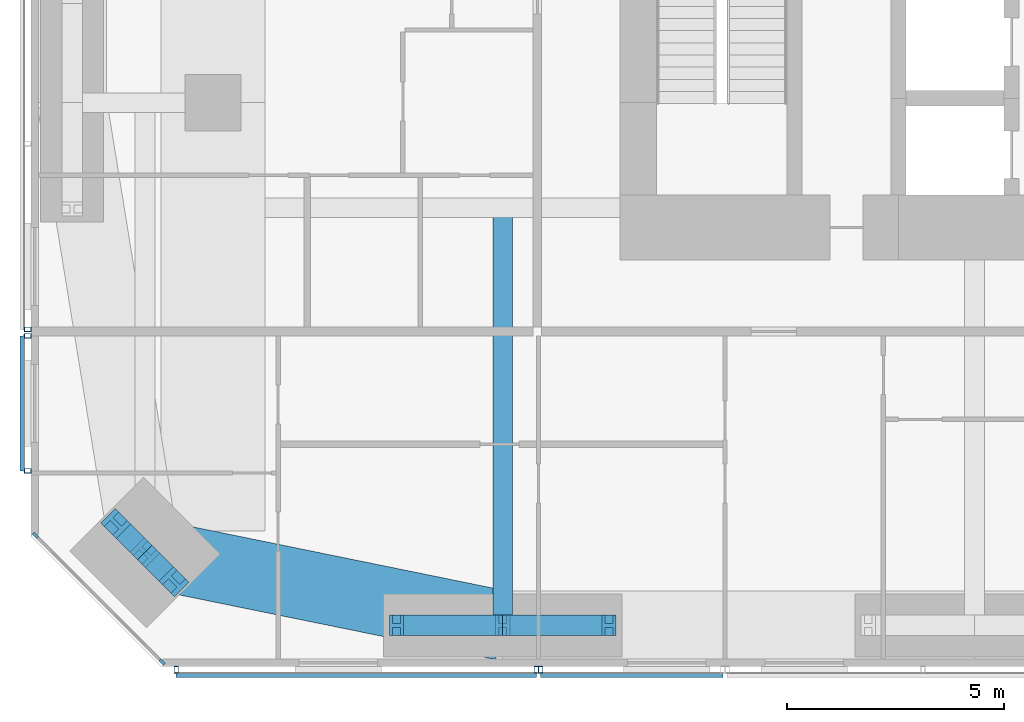
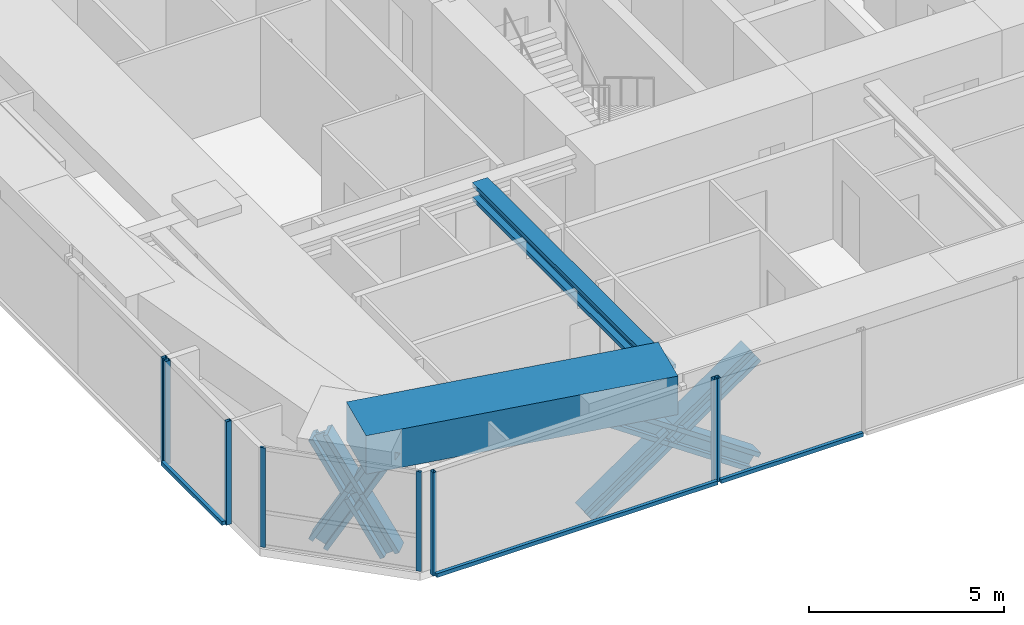
# One storey, part 2 of 24: 19 members, 2 beams, 5 elements without a shape of their own.
"""IFC4 building model written with IfcOpenShell, lengths in metres."""

import ifcopenshell
import ifcopenshell.guid

model = None  # the IFC model being written
_history = None  # IfcOwnerHistory: only IFC2X3 demands one
_inside = {}  # id of a spatial element -> (the spatial element, [elements in it])
_under = {}  # id of a project, library or spatial element -> (it, [spatial elements below it])
_declared = {}  # id of a project -> (the project, [libraries it declares])
_typed = {}  # id of a type object -> (the type object, [elements of that type])
_made_of = {}  # id of a material, layer set ... -> (it, [elements and type objects made of it])


def new_model(schema):
    """Start an empty IFC model of exactly this schema.

    Asked for "IFC4X3", IfcOpenShell would pick the latest addendum, in which some entities
    have other attributes; the version numbers below select the first issue.
    IFC2X3 requires an IfcOwnerHistory on every rooted entity: one is made here for all.
    """
    global model, _history
    if schema == "IFC4X3":
        model = ifcopenshell.file(schema_version=(4, 3, 0, 0))
    else:
        model = ifcopenshell.file(schema=schema)
    _inside.clear()
    _under.clear()
    _declared.clear()
    _typed.clear()
    _made_of.clear()
    _history = None
    if model.schema == "IFC2X3":
        org = make("IfcOrganization", Name="unknown")
        user = make(
            "IfcPersonAndOrganization",
            ThePerson=make("IfcPerson", FamilyName="unknown"),
            TheOrganization=org,
        )
        app = make(
            "IfcApplication",
            ApplicationDeveloper=org,
            Version="unknown",
            ApplicationFullName="unknown",
            ApplicationIdentifier="unknown",
        )
        _history = make(
            "IfcOwnerHistory",
            OwningUser=user,
            OwningApplication=app,
            ChangeAction="ADDED",
            CreationDate=0,
        )
    return model


def make(cls, **values):
    """One entity of the class cls with the attributes given. An attribute that is None is left unset."""
    return model.create_entity(
        cls, **{name: value for name, value in values.items() if value is not None}
    )


def rooted(cls, **values):
    """An entity with a GlobalId (a new one), such as an element, a storey or a relation."""
    return make(cls, GlobalId=ifcopenshell.guid.new(), OwnerHistory=_history, **values)


def si_unit(unit_type, name, prefix=None):
    """IfcSIUnit, for example si_unit("LENGTHUNIT", "METRE", prefix="MILLI")."""
    return make("IfcSIUnit", UnitType=unit_type, Prefix=prefix, Name=name)


def assignment(units):
    """IfcUnitAssignment: the units of a project."""
    return None if units is None else make("IfcUnitAssignment", Units=units)


def point(xyz):
    """IfcCartesianPoint."""
    return None if xyz is None else make("IfcCartesianPoint", Coordinates=xyz)


def direction(xyz):
    """IfcDirection."""
    return None if xyz is None else make("IfcDirection", DirectionRatios=xyz)


def frame(location, z_axis=None, x_axis=None):
    """IfcAxis2Placement3D, a coordinate frame: its origin and axes. An axis left out is left unset."""
    return make(
        "IfcAxis2Placement3D",
        Location=point(location),
        Axis=direction(z_axis),
        RefDirection=direction(x_axis),
    )


def frame_2d(location, x_axis=None):
    """IfcAxis2Placement2D, a coordinate frame in the plane: its origin and x axis."""
    return make(
        "IfcAxis2Placement2D", Location=point(location), RefDirection=direction(x_axis)
    )


def origin():
    """The frame at (0, 0, 0) with its axes left unset."""
    return frame((0.0, 0.0, 0.0))


def origin_2d():
    """The frame at (0, 0) in the plane with its x axis left unset."""
    return frame_2d((0.0, 0.0))


def place(relative_to, where):
    """IfcLocalPlacement: puts the frame where relative to a parent placement (None: the world)."""
    return make(
        "IfcLocalPlacement", PlacementRelTo=relative_to, RelativePlacement=where
    )


def context(
    kind, dimensions, precision=None, world=None, true_north=None, identifier=None
):
    """IfcGeometricRepresentationContext, for example the 3D "Model" context."""
    return make(
        "IfcGeometricRepresentationContext",
        ContextIdentifier=identifier,
        ContextType=kind,
        CoordinateSpaceDimension=dimensions,
        Precision=precision,
        WorldCoordinateSystem=world,
        TrueNorth=true_north,
    )


def subcontext(parent, identifier, kind, view, scale=None):
    """IfcGeometricRepresentationSubContext, for example "Body" below "Model"."""
    return make(
        "IfcGeometricRepresentationSubContext",
        ContextIdentifier=identifier,
        ContextType=kind,
        ParentContext=parent,
        TargetScale=scale,
        TargetView=view,
    )


def project(units=None, contexts=None):
    """IfcProject with its units and contexts."""
    return rooted(
        "IfcProject",
        Name="project",
        RepresentationContexts=contexts,
        UnitsInContext=assignment(units),
    )


def spatial(cls, under=None, at=None, **own):
    """A site, building, storey or space (cls), placed at a placement, below another one or the project."""
    s = rooted(cls, ObjectPlacement=at, **own)
    if under is not None:
        _under.setdefault(under.id(), (under, []))[1].append(s)
    return s


def profile(cls, at=None, kind="AREA", **sizes):
    """A parametric profile (cls). Its sizes go by their IFC names, for example OverallWidth=200.0."""
    return make(cls, ProfileType=kind, Position=at, **sizes)


def rectangle(**sizes):
    """IfcRectangleProfileDef."""
    return profile("IfcRectangleProfileDef", **sizes)


def hollow_rectangle(**sizes):
    """IfcRectangleHollowProfileDef."""
    return profile("IfcRectangleHollowProfileDef", **sizes)


def i_section(**sizes):
    """IfcIShapeProfileDef."""
    return profile("IfcIShapeProfileDef", **sizes)


def extrude(swept, where, along, depth):
    """IfcExtrudedAreaSolid: the profile swept, set in the frame where, extruded along a direction by depth."""
    return make(
        "IfcExtrudedAreaSolid",
        SweptArea=swept,
        Position=where,
        ExtrudedDirection=direction(along),
        Depth=depth,
    )


def shape(context_of_items, identifier, shape_type, items):
    """IfcShapeRepresentation: the items that make up one representation, for example the "Body"."""
    return make(
        "IfcShapeRepresentation",
        ContextOfItems=context_of_items,
        RepresentationIdentifier=identifier,
        RepresentationType=shape_type,
        Items=items,
    )


def material(Name=None, Category=None):
    """IfcMaterial."""
    return make("IfcMaterial", Name=Name, Category=Category)


def material_profile(
    of_material, cross_section, Name=None, Category=None, Priority=None
):
    """IfcMaterialProfile: a cross section and its material."""
    return make(
        "IfcMaterialProfile",
        Name=Name,
        Material=of_material,
        Profile=cross_section,
        Priority=Priority,
        Category=Category,
    )


def profile_set(profiles, Name=None, composite=None):
    """IfcMaterialProfileSet."""
    return make(
        "IfcMaterialProfileSet",
        Name=Name,
        MaterialProfiles=profiles,
        CompositeProfile=composite,
    )


def made_of(thing, what):
    """Note that an element or type object is made of a material, layer set ...; save() writes the relation."""
    if what is not None:
        _made_of.setdefault(what.id(), (what, []))[1].append(thing)
    return thing


def type_object(cls, material=None, **own):
    """A type object (cls), such as IfcWallType, which elements share."""
    return made_of(rooted(cls, **own), material)


def element(
    cls,
    number,
    at=None,
    inside=None,
    cuts=None,
    type_object=None,
    material=None,
    context=None,
    identifier="Body",
    shape_type=None,
    held_by="IfcProductDefinitionShape",
    body=None,
    shapes=None,
    **own,
):
    """One element of the class cls, such as IfcWall. Its Tag is "e" and its number.

    at: its placement. inside: the storey or other place that contains it. cuts: it is an
    opening in that element (IfcRelVoidsElement). A single representation is given by context,
    identifier, shape_type and body (its items); several are given by shapes. held_by: the class
    of the entity that holds the representations. save() writes the other relations.
    """
    e = rooted(cls, Tag="e%d" % number, ObjectPlacement=at, **own)
    if body is not None:
        shapes = [shape(context, identifier, shape_type, body)]
    if shapes is not None:
        e.Representation = make(held_by, Representations=shapes)
    if inside is not None:
        _inside.setdefault(inside.id(), (inside, []))[1].append(e)
    if cuts is not None:
        rooted(
            "IfcRelVoidsElement", RelatingBuildingElement=cuts, RelatedOpeningElement=e
        )
    if type_object is not None:
        _typed.setdefault(type_object.id(), (type_object, []))[1].append(e)
    return made_of(e, material)


def aggregate(whole, parts):
    """IfcRelAggregates: a whole, such as a stair, and the parts it consists of."""
    return rooted("IfcRelAggregates", RelatingObject=whole, RelatedObjects=parts)


def save(model, path):
    """Write the relations noted so far, then the file.

    IfcRelAggregates (storeys below a building ...), IfcRelContainedInSpatialStructure (elements
    in a storey), IfcRelDefinesByType, IfcRelAssociatesMaterial and IfcRelDeclares: one each for
    every whole, place, type object, material and project.
    """
    for whole, parts in _under.values():
        aggregate(whole, parts)
    for where, things in _inside.values():
        rooted(
            "IfcRelContainedInSpatialStructure",
            RelatedElements=things,
            RelatingStructure=where,
        )
    for kind, things in _typed.values():
        rooted("IfcRelDefinesByType", RelatedObjects=things, RelatingType=kind)
    for what, things in _made_of.values():
        rooted("IfcRelAssociatesMaterial", RelatedObjects=things, RelatingMaterial=what)
    for by, libraries in _declared.values():
        rooted("IfcRelDeclares", RelatingContext=by, RelatedDefinitions=libraries)
    model.write(path)


model = new_model("IFC4")

# Units and contexts
model_context = context("Model", 3, precision=1e-05, world=origin(), true_north=direction((0.0, 1.0)))
body_context = subcontext(model_context, "Body", "Model", "MODEL_VIEW")
ifc_project = project(units=[si_unit("LENGTHUNIT", "METRE"), si_unit("AREAUNIT", "SQUARE_METRE"), si_unit("VOLUMEUNIT", "CUBIC_METRE"), si_unit("PLANEANGLEUNIT", "RADIAN"), si_unit("MASSUNIT", "GRAM", prefix="KILO")], contexts=[model_context])

# Site, building, storey
site_placement = place(None, origin())
site = spatial("IfcSite", under=ifc_project, at=site_placement, CompositionType="ELEMENT")
building_placement = place(site_placement, origin())
building = spatial("IfcBuilding", under=site, at=building_placement, Name="Jalousie Tower", CompositionType="ELEMENT")
storey_placement = place(building_placement, frame((0.0, 0.0, 131.64990234375)))
storey = spatial("IfcBuildingStorey", under=building, at=storey_placement, Name="L36", CompositionType="ELEMENT", Elevation=131.64990234375)

# Curtain wall, members
ifc_material_1 = material(Name="Aluminium curtain wall", Category="aluminium")
curtain_wall_type_1 = type_object("IfcCurtainWallType", Name="CORNER WINDOW WALL", PredefinedType="USERDEFINED", material=ifc_material_1)
curtain_wall_1_placement = place(storey_placement, origin())
curtain_wall_1 = element("IfcCurtainWall", 1, at=curtain_wall_1_placement, inside=storey, type_object=curtain_wall_type_1, Name="Corner Window Wall L36 8", ObjectType="CORNER WINDOW WALL", PredefinedType="USERDEFINED")
ifc_material_2 = material(Name="Aluminium mullion", Category="aluminium")
ifc_material_profile_1 = material_profile(ifc_material_2, rectangle(XDim=0.06005859375, YDim=0.14990234375, at=origin_2d()), Name="MULLION 60x150")
ifc_profile_set_1 = profile_set([ifc_material_profile_1], Name="Aluminium mullion")
member_type_1 = type_object("IfcMemberType", Name="CORNER WINDOW WALL MULLION", PredefinedType="MULLION", material=ifc_profile_set_1)
member_1_placement = place(storey_placement, frame((6.108642578125, 3.030029296875, 0.0), z_axis=(0.0, 0.0, 1.0), x_axis=(0.707106781187, 0.707106781187, 0.0)))
member_1 = element("IfcMember", 2, at=member_1_placement, type_object=member_type_1, Name="CW-C mullion 1", PredefinedType="MULLION", context=body_context, shape_type="SweptSolid", body=[
    extrude(rectangle(XDim=0.06005859375, YDim=0.14990234375, at=origin_2d()), origin(), (0.0, 0.0, 1.0), 3.110107421875),
])
member_2_placement = place(storey_placement, frame((9.030029296875, 0.108642578125, 0.0), z_axis=(0.0, 0.0, 1.0), x_axis=(0.707106781187, 0.707106781187, 0.0)))
member_2 = element("IfcMember", 3, at=member_2_placement, type_object=member_type_1, Name="CW-C mullion 2", PredefinedType="MULLION", context=body_context, shape_type="SweptSolid", body=[
    extrude(rectangle(XDim=0.06005859375, YDim=0.14990234375, at=origin_2d()), origin(), (0.0, 0.0, 1.0), 3.110107421875),
])
aggregate(curtain_wall_1, [member_1, member_2])

# Beam
ifc_material_3 = material(Name="Steel ASTM A992 Grade 50", Category="steel")
ifc_material_profile_2 = material_profile(ifc_material_3, i_section(OverallWidth=0.45458984375, OverallDepth=0.569091796875, WebThickness=0.077880859375, FlangeThickness=0.124755859375, at=origin_2d()), Name="W14X730")
ifc_profile_set_2 = profile_set([ifc_material_profile_2], Name="Steel ASTM A992 Grade 50")
beam_type_1 = type_object("IfcBeamType", Name="LEAN COLLECTOR W14X730", PredefinedType="BEAM", material=ifc_profile_set_2)
beam_1_placement = place(storey_placement, frame((16.875, 0.949951171875, 2.82568359375), z_axis=(0.0, 1.0, 0.0), x_axis=(-1.0, 0.0, 0.0)))
element("IfcBeam", 4, at=beam_1_placement, inside=storey, type_object=beam_type_1, Name="Lean collector under L37", PredefinedType="BEAM", context=body_context, shape_type="SweptSolid", body=[
    extrude(i_section(OverallWidth=0.45458984375, OverallDepth=0.569091796875, WebThickness=0.077880859375, FlangeThickness=0.124755859375, at=origin_2d()), origin(), (0.0, 0.0, 1.0), 9.625),
])

# Members
ifc_material_4 = material(Name="Steel ASTM A992 Grade 50", Category="steel")
ifc_material_profile_3 = material_profile(ifc_material_4, i_section(OverallWidth=0.472412109375, OverallDepth=0.5791015625, WebThickness=0.094970703125, FlangeThickness=0.1298828125, at=origin_2d()), Name="W14X808")
ifc_profile_set_3 = profile_set([ifc_material_profile_3], Name="Steel ASTM A992 Grade 50")
member_type_2 = type_object("IfcMemberType", Name="PERIMETER BRACE W14X808", PredefinedType="BRACE", material=ifc_profile_set_3)
member_3_placement = place(storey_placement, frame((7.959716796875, 3.302978515625, -0.599853515625), z_axis=(0.348789058631, -0.348789058631, 0.869880672943), x_axis=(0.707106781187, 0.707106781187, 0.0)))
element("IfcMember", 5, at=member_3_placement, inside=storey, type_object=member_type_2, Name="Perimeter brace 01 L36 part 1", PredefinedType="BRACE", context=body_context, shape_type="SweptSolid", body=[
    extrude(i_section(OverallWidth=0.472412109375, OverallDepth=0.5791015625, WebThickness=0.094970703125, FlangeThickness=0.1298828125, at=origin_2d()), origin(), (0.0, 0.0, 1.0), 1.925537109375),
])
member_4_placement = place(storey_placement, frame((8.63134765625, 2.63134765625, 1.0751953125), z_axis=(0.348827529765, -0.348827529765, 0.869849819771), x_axis=(0.707106781187, 0.707106781187, 0.0)))
element("IfcMember", 6, at=member_4_placement, inside=storey, type_object=member_type_2, Name="Perimeter brace 01 L36 part 2", PredefinedType="BRACE", context=body_context, shape_type="SweptSolid", body=[
    extrude(i_section(OverallWidth=0.472412109375, OverallDepth=0.5791015625, WebThickness=0.094970703125, FlangeThickness=0.1298828125, at=origin_2d()), origin(), (0.0, 0.0, 1.0), 1.92529296875),
])
member_5_placement = place(storey_placement, frame((9.302978515625, 1.959716796875, -0.599853515625), z_axis=(-0.348789058631, 0.348789058631, 0.869880672943), x_axis=(-0.707106781187, -0.707106781187, 0.0)))
element("IfcMember", 7, at=member_5_placement, inside=storey, type_object=member_type_2, Name="Perimeter brace 01 L36 part 3", PredefinedType="BRACE", context=body_context, shape_type="SweptSolid", body=[
    extrude(i_section(OverallWidth=0.472412109375, OverallDepth=0.5791015625, WebThickness=0.094970703125, FlangeThickness=0.1298828125, at=origin_2d()), origin(), (0.0, 0.0, 1.0), 1.925537109375),
])
member_6_placement = place(storey_placement, frame((8.63134765625, 2.63134765625, 1.0751953125), z_axis=(-0.348827529765, 0.348827529765, 0.869849819771), x_axis=(-0.707106781187, -0.707106781187, 0.0)))
element("IfcMember", 8, at=member_6_placement, inside=storey, type_object=member_type_2, Name="Perimeter brace 01 L36 part 4", PredefinedType="BRACE", context=body_context, shape_type="SweptSolid", body=[
    extrude(i_section(OverallWidth=0.472412109375, OverallDepth=0.5791015625, WebThickness=0.094970703125, FlangeThickness=0.1298828125, at=origin_2d()), origin(), (0.0, 0.0, 1.0), 1.92529296875),
])
for number, where, z_axis, x_axis, name in (
    (9, (14.425048828125, 0.949951171875, -0.599853515625), (0.825500916831, 0.0, 0.564400776321), (0.0, 1.0, 0.0), "Perimeter brace 02 L36 part 1"),
    (10, (16.875, 0.949951171875, 1.0751953125), (0.825539243753, 0.0, 0.564344714713), (0.0, 1.0, 0.0), "Perimeter brace 02 L36 part 2"),
    (11, (19.324951171875, 0.949951171875, -0.599853515625), (-0.825500916831, 0.0, 0.564400776321), (0.0, -1.0, 0.0), "Perimeter brace 02 L36 part 3"),
    (12, (16.875, 0.949951171875, 1.0751953125), (-0.825539243753, 0.0, 0.564344714713), (0.0, -1.0, 0.0), "Perimeter brace 02 L36 part 4"),
):
    element("IfcMember", number, at=place(storey_placement, frame(where, z_axis=z_axis, x_axis=x_axis)), inside=storey, type_object=member_type_2, Name=name, PredefinedType="BRACE", context=body_context, shape_type="SweptSolid", body=[
        extrude(i_section(OverallWidth=0.472412109375, OverallDepth=0.5791015625, WebThickness=0.094970703125, FlangeThickness=0.1298828125, at=origin_2d()), origin(), (0.0, 0.0, 1.0), 2.9677734375),
    ])

# Beam
ifc_material_5 = material(Name="Concrete f'c 40 MPa", Category="concrete")
ifc_material_profile_4 = material_profile(ifc_material_5, rectangle(XDim=1.60009765625, YDim=1.199951171875, at=origin_2d()), Name="RC 1600x1200")
ifc_profile_set_4 = profile_set([ifc_material_profile_4], Name="Concrete f'c 40 MPa")
beam_type_2 = type_object("IfcBeamType", Name="RC BEAM 1600x1200", PredefinedType="BEAM", material=ifc_profile_set_4)
beam_2_placement = place(storey_placement, frame((8.63134765625, 2.63134765625, 2.75), z_axis=(0.97982690954, -0.199848010602, 0.0), x_axis=(0.199848010602, 0.97982690954, 0.0)))
element("IfcBeam", 13, at=beam_2_placement, inside=storey, type_object=beam_type_2, Name="Edge band beam 01-02 under L37", PredefinedType="BEAM", context=body_context, shape_type="SweptSolid", body=[
    extrude(rectangle(XDim=1.60009765625, YDim=1.199951171875, at=origin_2d()), origin(), (0.0, 0.0, 1.0), 8.413330078125),
])

# Curtain wall, members
ifc_material_6 = material(Name="Perforated aluminium sheet", Category="aluminium")
curtain_wall_type_2 = type_object("IfcCurtainWallType", Name="SOLAR SCREEN SS-1", PredefinedType="USERDEFINED", material=ifc_material_6)
curtain_wall_2_placement = place(storey_placement, origin())
curtain_wall_2 = element("IfcCurtainWall", 14, at=curtain_wall_2_placement, inside=storey, type_object=curtain_wall_type_2, Name="Solar screen L36", ObjectType="SOLAR SCREEN SS-1", PredefinedType="USERDEFINED")
ifc_material_7 = material(Name="Steel ASTM A500 Grade C", Category="steel")
ifc_material_profile_5 = material_profile(ifc_material_7, hollow_rectangle(XDim=0.1015625, YDim=0.15234375, WallThickness=0.00634765625, at=origin_2d()), Name="HSS6X4X1/4")
ifc_profile_set_5 = profile_set([ifc_material_profile_5], Name="Steel ASTM A500 Grade C")
member_type_3 = type_object("IfcMemberType", Name="SOLAR SCREEN SS-1 MULLION", PredefinedType="MULLION", material=ifc_profile_set_5)
member_7_placement = place(storey_placement, frame((9.351318359375, -0.0712890625, -0.119873046875), z_axis=(0.0, 0.0, 1.0), x_axis=(1.0, 0.0, 0.0)))
member_7 = element("IfcMember", 15, at=member_7_placement, type_object=member_type_3, Name="SS1 post 1", PredefinedType="MULLION", context=body_context, shape_type="SweptSolid", body=[
    extrude(hollow_rectangle(XDim=0.1015625, YDim=0.15234375, WallThickness=0.00634765625, at=origin_2d()), origin(), (0.0, 0.0, 1.0), 3.22998046875),
])
member_8_placement = place(storey_placement, frame((17.64990234375, -0.0712890625, -0.119873046875), z_axis=(0.0, 0.0, 1.0), x_axis=(1.0, 0.0, 0.0)))
member_8 = element("IfcMember", 16, at=member_8_placement, type_object=member_type_3, Name="SS1 post 2", PredefinedType="MULLION", context=body_context, shape_type="SweptSolid", body=[
    extrude(hollow_rectangle(XDim=0.1015625, YDim=0.15234375, WallThickness=0.00634765625, at=origin_2d()), origin(), (0.0, 0.0, 1.0), 3.22998046875),
])

# Curtain wall, member
curtain_wall_3_placement = place(storey_placement, origin())
curtain_wall_3 = element("IfcCurtainWall", 17, at=curtain_wall_3_placement, inside=storey, type_object=curtain_wall_type_2, Name="Solar screen L36", ObjectType="SOLAR SCREEN SS-1", PredefinedType="USERDEFINED")
member_9_placement = place(storey_placement, frame((17.75, -0.0712890625, -0.119873046875), z_axis=(0.0, 0.0, 1.0), x_axis=(1.0, 0.0, 0.0)))
member_9 = element("IfcMember", 18, at=member_9_placement, type_object=member_type_3, Name="SS1 post 1", PredefinedType="MULLION", context=body_context, shape_type="SweptSolid", body=[
    extrude(hollow_rectangle(XDim=0.1015625, YDim=0.15234375, WallThickness=0.00634765625, at=origin_2d()), origin(), (0.0, 0.0, 1.0), 3.22998046875),
])

curtain_wall_4_placement = place(storey_placement, origin())
curtain_wall_4 = element("IfcCurtainWall", 19, at=curtain_wall_4_placement, inside=storey, type_object=curtain_wall_type_2, Name="Solar screen L36", ObjectType="SOLAR SCREEN SS-1", PredefinedType="USERDEFINED")
member_10_placement = place(storey_placement, frame((5.9287109375, 7.77490234375, -0.119873046875), z_axis=(0.0, 0.0, 1.0), x_axis=(0.0, -1.0, 0.0)))
member_10 = element("IfcMember", 20, at=member_10_placement, type_object=member_type_3, Name="SS1 post 3", PredefinedType="MULLION", context=body_context, shape_type="SweptSolid", body=[
    extrude(hollow_rectangle(XDim=0.1015625, YDim=0.15234375, WallThickness=0.00634765625, at=origin_2d()), origin(), (0.0, 0.0, 1.0), 3.22998046875),
])
aggregate(curtain_wall_4, [member_10])

# Curtain wall, members
curtain_wall_5_placement = place(storey_placement, origin())
curtain_wall_5 = element("IfcCurtainWall", 21, at=curtain_wall_5_placement, inside=storey, type_object=curtain_wall_type_2, Name="Solar screen L36", ObjectType="SOLAR SCREEN SS-1", PredefinedType="USERDEFINED")
member_11_placement = place(storey_placement, frame((5.9287109375, 7.625, -0.119873046875), z_axis=(0.0, 0.0, 1.0), x_axis=(0.0, -1.0, 0.0)))
member_11 = element("IfcMember", 22, at=member_11_placement, type_object=member_type_3, Name="SS1 post 1", PredefinedType="MULLION", context=body_context, shape_type="SweptSolid", body=[
    extrude(hollow_rectangle(XDim=0.1015625, YDim=0.15234375, WallThickness=0.00634765625, at=origin_2d()), origin(), (0.0, 0.0, 1.0), 3.22998046875),
])
member_12_placement = place(storey_placement, frame((5.9287109375, 4.513916015625, -0.119873046875), z_axis=(0.0, 0.0, 1.0), x_axis=(0.0, -1.0, 0.0)))
member_12 = element("IfcMember", 23, at=member_12_placement, type_object=member_type_3, Name="SS1 post 2", PredefinedType="MULLION", context=body_context, shape_type="SweptSolid", body=[
    extrude(hollow_rectangle(XDim=0.1015625, YDim=0.15234375, WallThickness=0.00634765625, at=origin_2d()), origin(), (0.0, 0.0, 1.0), 3.22998046875),
])

# Member
ifc_material_8 = material(Name="Extruded aluminium screen rail", Category="aluminium")
ifc_material_profile_6 = material_profile(ifc_material_8, rectangle(XDim=0.1015625, YDim=0.1201171875, at=origin_2d()), Name="RAIL 102x120")
ifc_profile_set_6 = profile_set([ifc_material_profile_6], Name="Extruded aluminium screen rail")
member_type_4 = type_object("IfcMemberType", Name="SOLAR SCREEN SS-1 TRANSOM", PredefinedType="USERDEFINED", material=ifc_profile_set_6)
member_13_placement = place(storey_placement, frame((9.351318359375, -0.1982421875, -0.059814453125), z_axis=(1.0, 0.0, 0.0), x_axis=(0.0, 1.0, 0.0)))
member_13 = element("IfcMember", 24, at=member_13_placement, type_object=member_type_4, Name="SS1 rail", ObjectType="TRANSOM", PredefinedType="USERDEFINED", context=body_context, shape_type="SweptSolid", body=[
    extrude(rectangle(XDim=0.1015625, YDim=0.1201171875, at=origin_2d()), origin(), (0.0, 0.0, 1.0), 8.298583984375),
])

aggregate(curtain_wall_2, [member_7, member_8, member_13])

member_14_placement = place(storey_placement, frame((17.75, -0.1982421875, -0.059814453125), z_axis=(1.0, 0.0, 0.0), x_axis=(0.0, 1.0, 0.0)))
member_14 = element("IfcMember", 25, at=member_14_placement, type_object=member_type_4, Name="SS1 rail", ObjectType="TRANSOM", PredefinedType="USERDEFINED", context=body_context, shape_type="SweptSolid", body=[
    extrude(rectangle(XDim=0.1015625, YDim=0.1201171875, at=origin_2d()), origin(), (0.0, 0.0, 1.0), 4.199951171875),
])

aggregate(curtain_wall_3, [member_9, member_14])

member_15_placement = place(storey_placement, frame((5.8017578125, 7.625, -0.059814453125), z_axis=(0.0, -1.0, 0.0), x_axis=(1.0, 0.0, 0.0)))
member_15 = element("IfcMember", 26, at=member_15_placement, type_object=member_type_4, Name="SS1 rail", ObjectType="TRANSOM", PredefinedType="USERDEFINED", context=body_context, shape_type="SweptSolid", body=[
    extrude(rectangle(XDim=0.1015625, YDim=0.1201171875, at=origin_2d()), origin(), (0.0, 0.0, 1.0), 3.111083984375),
])

aggregate(curtain_wall_5, [member_11, member_12, member_15])

save(model, "model.ifc")
